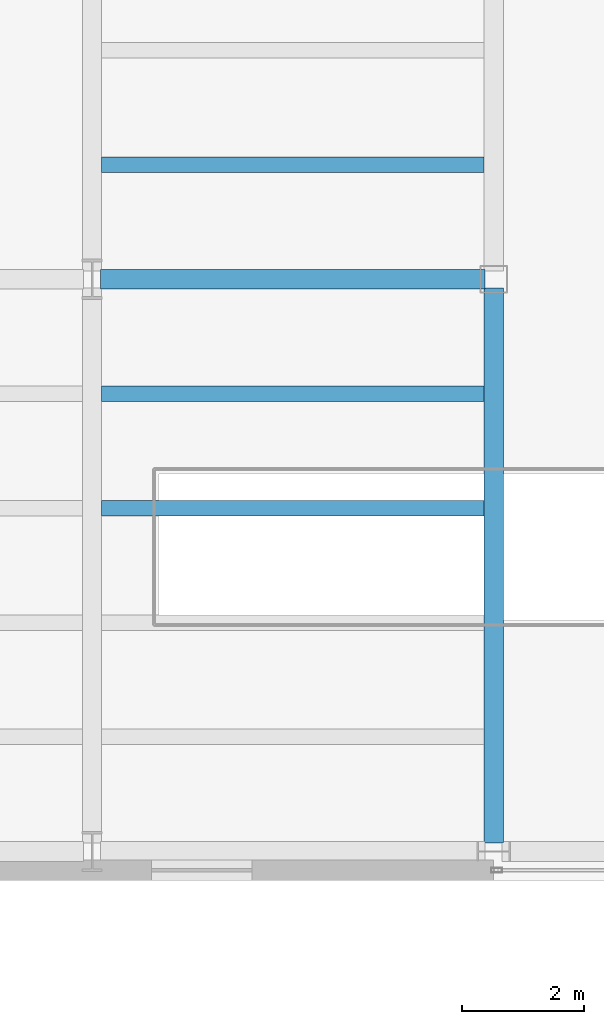
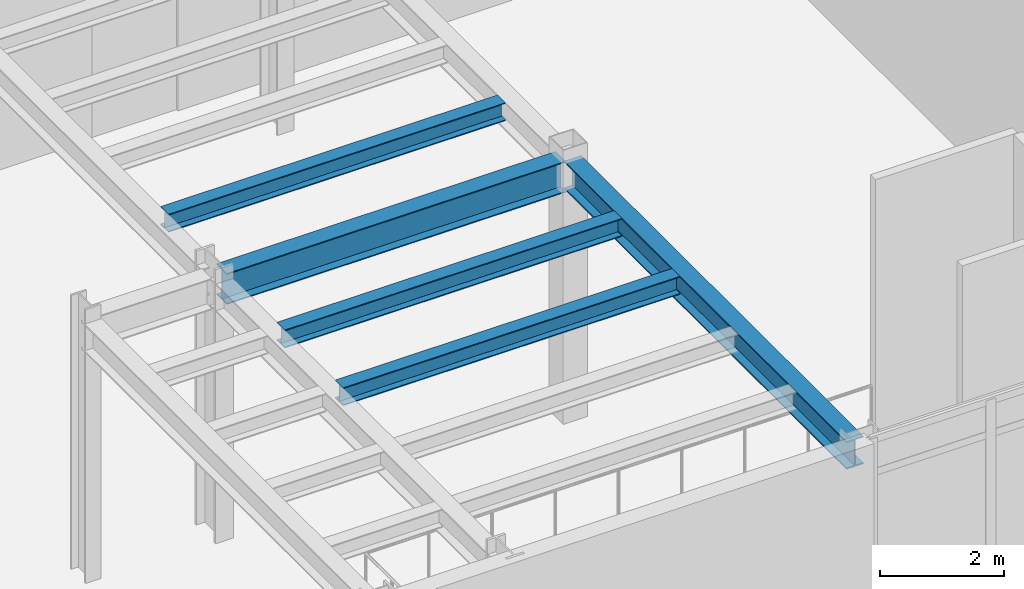
# One storey, part 54 of 98: 5 beams.
"""IFC4 building model written with IfcOpenShell, lengths in metres."""

from ifc_helpers import new_model, si_unit, direction, frame, origin, origin_2d, place, context, subcontext, project, spatial, i_section, extrude, material, material_profile, profile_set, type_object, element, save


model = new_model("IFC4")

# Units and contexts
model_context = context("Model", 3, precision=1e-05, world=origin(), true_north=direction((0.0, 1.0)))
body_context = subcontext(model_context, "Body", "Model", "MODEL_VIEW")
ifc_project = project(units=[si_unit("LENGTHUNIT", "METRE"), si_unit("AREAUNIT", "SQUARE_METRE"), si_unit("VOLUMEUNIT", "CUBIC_METRE"), si_unit("PLANEANGLEUNIT", "RADIAN"), si_unit("MASSUNIT", "GRAM", prefix="KILO")], contexts=[model_context])

# Site, building, storey
site_placement = place(None, origin())
site = spatial("IfcSite", under=ifc_project, at=site_placement, CompositionType="ELEMENT")
building_placement = place(site_placement, origin())
building = spatial("IfcBuilding", under=site, at=building_placement, Name="Sollismere Congress Hotel", CompositionType="ELEMENT")
storey_placement = place(building_placement, frame((0.0, 0.0, 5.39990234375)))
storey = spatial("IfcBuildingStorey", under=building, at=storey_placement, Name="L01", CompositionType="ELEMENT", Elevation=5.39990234375)

# Beams
ifc_material = material(Name="Steel ASTM A992 Grade 50", Category="steel")
ifc_material_profile_1 = material_profile(ifc_material, i_section(OverallWidth=0.31494140625, OverallDepth=0.551025390625, WebThickness=0.01513671875, FlangeThickness=0.0244140625, at=origin_2d()), Name="W21X122")
ifc_profile_set_1 = profile_set([ifc_material_profile_1], Name="Steel ASTM A992 Grade 50")
beam_type_1 = type_object("IfcBeamType", Name="BM-G21H", PredefinedType="BEAM", material=ifc_profile_set_1)
beam_1_placement = place(storey_placement, frame((67.0, 66.93994140625, 4.844482421875), z_axis=(0.0, 1.0, 0.0), x_axis=(-1.0, 0.0, 0.0)))
element("IfcBeam", 1, at=beam_1_placement, inside=storey, type_object=beam_type_1, Name="Beam BM-L01-1659", PredefinedType="BEAM", context=body_context, shape_type="SweptSolid", body=[
    extrude(i_section(OverallWidth=0.31494140625, OverallDepth=0.551025390625, WebThickness=0.01513671875, FlangeThickness=0.0244140625, at=origin_2d()), origin(), (0.0, 0.0, 1.0), 9.1201171875),
])
ifc_material_profile_2 = material_profile(ifc_material, i_section(OverallWidth=0.324951171875, OverallDepth=0.612060546875, WebThickness=0.0126953125, FlangeThickness=0.01904296875, at=origin_2d()), Name="W24X104")
ifc_profile_set_2 = profile_set([ifc_material_profile_2], Name="Steel ASTM A992 Grade 50")
beam_type_2 = type_object("IfcBeamType", Name="BM-G24", PredefinedType="BEAM", material=ifc_profile_set_2)
beam_2_placement = place(storey_placement, frame((60.5400390625, 76.199951171875, 4.814208984375), z_axis=(1.0, 0.0, 0.0), x_axis=(0.0, 1.0, 0.0)))
element("IfcBeam", 2, at=beam_2_placement, inside=storey, type_object=beam_type_2, Name="Beam BM-L01-1601", PredefinedType="BEAM", context=body_context, shape_type="SweptSolid", body=[
    extrude(i_section(OverallWidth=0.324951171875, OverallDepth=0.612060546875, WebThickness=0.0126953125, FlangeThickness=0.01904296875, at=origin_2d()), origin(), (0.0, 0.0, 1.0), 6.320068359375),
])
ifc_material_profile_3 = material_profile(ifc_material, i_section(OverallWidth=0.25390625, OverallDepth=0.35595703125, WebThickness=0.010498046875, FlangeThickness=0.018310546875, at=origin_2d()), Name="W14X68")
ifc_profile_set_3 = profile_set([ifc_material_profile_3], Name="Steel ASTM A992 Grade 50")
beam_type_3 = type_object("IfcBeamType", Name="BM-J14", PredefinedType="JOIST", material=ifc_profile_set_3)
for number, where, z_axis, x_axis, name in (
    (3, (60.5576171875, 72.43994140625, 4.942138671875), (1.0, 0.0, 0.0), (0.0, 1.0, 0.0), "Beam BM-L01-1781"),
    (4, (60.5576171875, 74.320068359375, 4.942138671875), (1.0, 0.0, 0.0), (0.0, 1.0, 0.0), "Beam BM-L01-1782"),
    (5, (60.5576171875, 78.080078125, 4.942138671875), (1.0, 0.0, 0.0), (0.0, 1.0, 0.0), "Beam BM-L01-1783"),
):
    element("IfcBeam", number, at=place(storey_placement, frame(where, z_axis=z_axis, x_axis=x_axis)), inside=storey, type_object=beam_type_3, Name=name, PredefinedType="JOIST", context=body_context, shape_type="SweptSolid", body=[
        extrude(i_section(OverallWidth=0.25390625, OverallDepth=0.35595703125, WebThickness=0.010498046875, FlangeThickness=0.018310546875, at=origin_2d()), origin(), (0.0, 0.0, 1.0), 6.284912109375),
    ])

save(model, "model.ifc")
